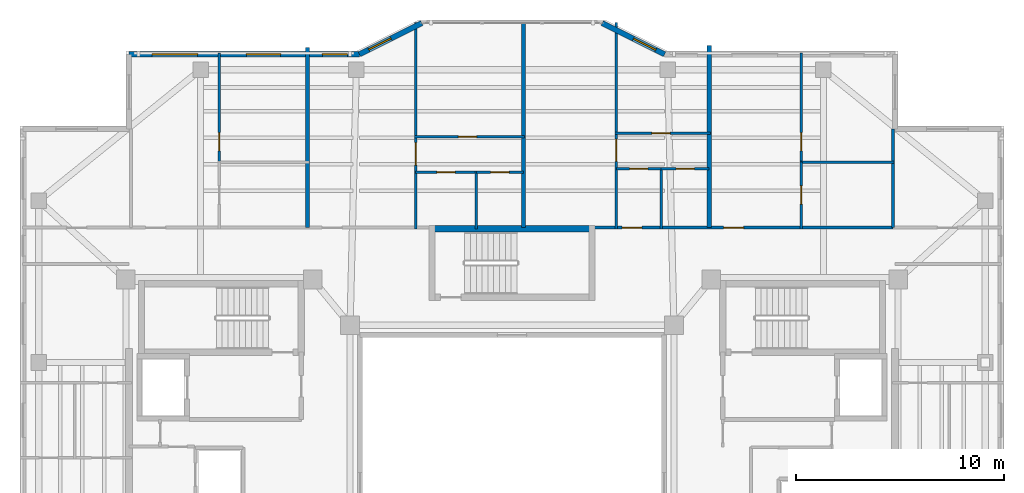
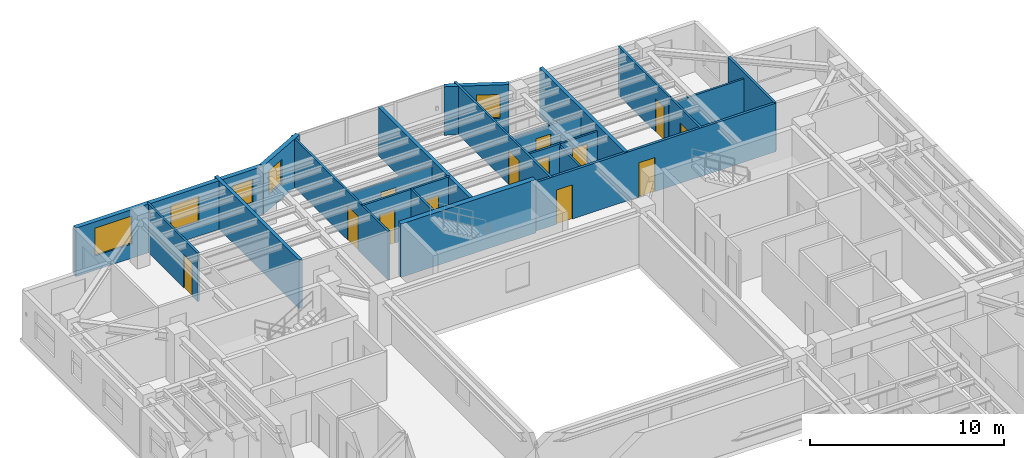
# One storey, part 9 of 13: 23 walls, 13 doors, 5 windows, 18 openings.
"""IFC4 building model written with IfcOpenShell, lengths in metres."""

from ifc_helpers import new_model, si_unit, direction, frame, frame_2d, origin, place, context, subcontext, project, spatial, rectangle, extrude, material, layer, layer_set, type_object, element, fill, save


model = new_model("IFC4")

# Units and contexts
model_context = context("Model", 3, precision=1e-05, world=origin(), true_north=direction((0.0, 1.0)))
body_context = subcontext(model_context, "Body", "Model", "MODEL_VIEW")
ifc_project = project(units=[si_unit("LENGTHUNIT", "METRE"), si_unit("AREAUNIT", "SQUARE_METRE"), si_unit("VOLUMEUNIT", "CUBIC_METRE"), si_unit("PLANEANGLEUNIT", "RADIAN"), si_unit("MASSUNIT", "GRAM", prefix="KILO")], contexts=[model_context])

# Site, building, storey
site_placement = place(None, origin())
site = spatial("IfcSite", under=ifc_project, at=site_placement, CompositionType="ELEMENT")
building_placement = place(site_placement, origin())
building = spatial("IfcBuilding", under=site, at=building_placement, Name="Tarnavaz Court Tower", CompositionType="ELEMENT")
storey_placement = place(building_placement, frame((0.0, 0.0, 223.75)))
storey = spatial("IfcBuildingStorey", under=building, at=storey_placement, Name="L61", CompositionType="ELEMENT", Elevation=223.75)

# Wall
ifc_material_1 = material(Name="Concrete C50/60", Category="concrete")
ifc_layer_1 = layer(ifc_material_1, 0.300048828125)
ifc_layer_set_1 = layer_set([ifc_layer_1], Name="Concrete C50/60")
wall_type_1 = type_object("IfcWallType", Name="WL-CORE-300-C50", PredefinedType="SHEAR", material=ifc_layer_set_1)
wall_1_placement = place(storey_placement, frame((-4.0, 12.43994140625, 0.0), z_axis=(0.0, 0.0, 1.0), x_axis=(1.0, 0.0, 0.0)))
element("IfcWall", 1, at=wall_1_placement, inside=storey, type_object=wall_type_1, Name="L61 North Stair Core Wall 009", PredefinedType="SHEAR", context=body_context, shape_type="SweptSolid", body=[
    extrude(rectangle(XDim=8.0, YDim=0.300048828125, at=frame_2d((4.0, 0.0))), origin(), (0.0, 0.0, 1.0), 3.35009765625),
])

# Wall, openings, windows
ifc_material_2 = material(Name="Precast Concrete C40/50", Category="concrete")
ifc_layer_2 = layer(ifc_material_2, 0.260009765625)
ifc_layer_set_2 = layer_set([ifc_layer_2], Name="Precast Concrete C40/50")
wall_type_2 = type_object("IfcWallType", Name="WL-EXT-260", PredefinedType="SOLIDWALL", material=ifc_layer_set_2)
wall_2_placement = place(storey_placement, frame((-18.449951171875, 20.85009765625, 0.0), z_axis=(0.0, 0.0, 1.0), x_axis=(1.0, 0.0, 0.0)))
wall_2 = element("IfcWall", 2, at=wall_2_placement, inside=storey, type_object=wall_type_2, Name="L61 Exterior Terracotta Facade Wall 05", PredefinedType="SOLIDWALL", context=body_context, shape_type="SweptSolid", body=[
    extrude(rectangle(XDim=11.099853515625, YDim=0.260009765625, at=frame_2d((5.5498046875, 0.0))), origin(), (0.0, 0.0, 1.0), 3.050048828125),
])
opening_1_placement = place(wall_2_placement, frame((1.110107421875, 0.0, 0.89990234375)))
opening_1 = element("IfcOpeningElement", 3, at=opening_1_placement, cuts=wall_2, Name="Opening W07", PredefinedType="OPENING", context=body_context, shape_type="SweptSolid", body=[
    extrude(rectangle(XDim=2.199951171875, YDim=1.75, at=frame_2d((1.10009765625, 0.875))), frame((0.0, 0.139892578125, 0.0), z_axis=(0.0, -1.0, 0.0), x_axis=(1.0, 0.0, 0.0)), (0.0, 0.0, 1.0), 0.280029296875),
])
opening_2_placement = place(wall_2_placement, frame((5.654296875, 0.0, 0.89990234375)))
opening_2 = element("IfcOpeningElement", 4, at=opening_2_placement, cuts=wall_2, Name="Opening W02", PredefinedType="OPENING", context=body_context, shape_type="SweptSolid", body=[
    extrude(rectangle(XDim=1.64990234375, YDim=1.60009765625, at=frame_2d((0.824951171875, 0.800048828125))), frame((0.0, 0.139892578125, 0.0), z_axis=(0.0, -1.0, 0.0), x_axis=(1.0, 0.0, 0.0)), (0.0, 0.0, 1.0), 0.280029296875),
])
opening_3_placement = place(wall_2_placement, frame((9.319580078125, 0.0, 0.949951171875)))
opening_3 = element("IfcOpeningElement", 5, at=opening_3_placement, cuts=wall_2, Name="Opening W05", PredefinedType="OPENING", context=body_context, shape_type="SweptSolid", body=[
    extrude(rectangle(XDim=1.199951171875, YDim=1.5, at=frame_2d((0.60009765625, 0.75))), frame((0.0, 0.139892578125, 0.0), z_axis=(0.0, -1.0, 0.0), x_axis=(1.0, 0.0, 0.0)), (0.0, 0.0, 1.0), 0.280029296875),
])
ifc_material_3 = material(Name="Double-Glazed Solar Low-E Glass", Category="glass")
window_type_1 = type_object("IfcWindowType", Name="WN-APT-1200", PartitioningType="SINGLE_PANEL", PredefinedType="WINDOW", material=ifc_material_3)
window_1_placement = place(opening_3_placement, origin())
window_1 = element("IfcWindow", 6, at=window_1_placement, inside=storey, type_object=window_type_1, Name="L61 Flat 02 Living and Dining Room Window", OverallHeight=1.5, OverallWidth=1.199951171875, PartitioningType="SINGLE_PANEL", PredefinedType="WINDOW", context=body_context, shape_type="SweptSolid", body=[
    extrude(rectangle(XDim=1.199951171875, YDim=1.5, at=frame_2d((0.60009765625, 0.75))), frame((0.0, 0.030029296875, 0.0), z_axis=(0.0, -1.0, 0.0), x_axis=(1.0, 0.0, 0.0)), (0.0, 0.0, 1.0), 0.06005859375),
])
fill(opening_3, window_1)
window_type_2 = type_object("IfcWindowType", Name="WN-APT-1650", PartitioningType="DOUBLE_PANEL_VERTICAL", PredefinedType="WINDOW", material=ifc_material_3)
window_2_placement = place(opening_2_placement, origin())
window_2 = element("IfcWindow", 7, at=window_2_placement, inside=storey, type_object=window_type_2, Name="L61 Flat 01 Kitchen Window", OverallHeight=1.60009765625, OverallWidth=1.64990234375, PartitioningType="SINGLE_PANEL", PredefinedType="WINDOW", context=body_context, shape_type="SweptSolid", body=[
    extrude(rectangle(XDim=1.64990234375, YDim=1.60009765625, at=frame_2d((0.824951171875, 0.800048828125))), frame((0.0, 0.030029296875, 0.0), z_axis=(0.0, -1.0, 0.0), x_axis=(1.0, 0.0, 0.0)), (0.0, 0.0, 1.0), 0.06005859375),
])
fill(opening_2, window_2)
window_type_3 = type_object("IfcWindowType", Name="WN-APT-2200", PartitioningType="TRIPLE_PANEL_VERTICAL", PredefinedType="WINDOW", material=ifc_material_3)
window_3_placement = place(opening_1_placement, origin())
window_3 = element("IfcWindow", 8, at=window_3_placement, inside=storey, type_object=window_type_3, Name="L61 Flat 01 Studio Living and Sleeping Room Window", OverallHeight=1.75, OverallWidth=2.199951171875, PartitioningType="SINGLE_PANEL", PredefinedType="WINDOW", context=body_context, shape_type="SweptSolid", body=[
    extrude(rectangle(XDim=2.199951171875, YDim=1.75, at=frame_2d((1.10009765625, 0.875))), frame((0.0, 0.030029296875, 0.0), z_axis=(0.0, -1.0, 0.0), x_axis=(1.0, 0.0, 0.0)), (0.0, 0.0, 1.0), 0.06005859375),
])
fill(opening_1, window_3)

# Wall, opening, window
wall_3_placement = place(storey_placement, frame((-7.35009765625, 20.85009765625, 0.0), z_axis=(0.0, 0.0, 1.0), x_axis=(0.894427191, 0.4472135955, 0.0)))
wall_3 = element("IfcWall", 9, at=wall_3_placement, inside=storey, type_object=wall_type_2, Name="L61 Exterior Terracotta Facade Wall 06", PredefinedType="SOLIDWALL", context=body_context, shape_type="SweptSolid", body=[
    extrude(rectangle(XDim=3.35400390625, YDim=0.260009765625, at=frame_2d((1.677001953125, 0.0))), origin(), (0.0, 0.0, 1.0), 3.050048828125),
])
opening_4_placement = place(wall_3_placement, frame((0.501220703125, 0.0, 0.949951171875)))
opening_4 = element("IfcOpeningElement", 10, at=opening_4_placement, cuts=wall_3, Name="Opening W05", PredefinedType="OPENING", context=body_context, shape_type="SweptSolid", body=[
    extrude(rectangle(XDim=1.199951171875, YDim=1.5, at=frame_2d((0.60009765625, 0.75))), frame((0.0, 0.139892578125, 0.0), z_axis=(0.0, -1.0, 0.0), x_axis=(1.0, 0.0, 0.0)), (0.0, 0.0, 1.0), 0.280029296875),
])
window_4_placement = place(opening_4_placement, origin())
window_4 = element("IfcWindow", 11, at=window_4_placement, inside=storey, type_object=window_type_1, Name="L61 Flat 02 Living and Dining Room Window", OverallHeight=1.5, OverallWidth=1.199951171875, PartitioningType="SINGLE_PANEL", PredefinedType="WINDOW", context=body_context, shape_type="SweptSolid", body=[
    extrude(rectangle(XDim=1.199951171875, YDim=1.5, at=frame_2d((0.60009765625, 0.75))), frame((0.0, 0.030029296875, 0.0), z_axis=(0.0, -1.0, 0.0), x_axis=(1.0, 0.0, 0.0)), (0.0, 0.0, 1.0), 0.06005859375),
])
fill(opening_4, window_4)

wall_4_placement = place(storey_placement, frame((4.35009765625, 22.35009765625, 0.0), z_axis=(0.0, 0.0, 1.0), x_axis=(0.894427191, -0.4472135955, 0.0)))
wall_4 = element("IfcWall", 12, at=wall_4_placement, inside=storey, type_object=wall_type_2, Name="L61 Exterior Terracotta Facade Wall 08", PredefinedType="SOLIDWALL", context=body_context, shape_type="SweptSolid", body=[
    extrude(rectangle(XDim=3.35400390625, YDim=0.260009765625, at=frame_2d((1.677001953125, 0.0))), origin(), (0.0, 0.0, 1.0), 3.050048828125),
])
opening_5_placement = place(wall_4_placement, frame((1.677978515625, 0.0, 0.949951171875)))
opening_5 = element("IfcOpeningElement", 13, at=opening_5_placement, cuts=wall_4, Name="Opening W05", PredefinedType="OPENING", context=body_context, shape_type="SweptSolid", body=[
    extrude(rectangle(XDim=1.199951171875, YDim=1.5, at=frame_2d((0.60009765625, 0.75))), frame((0.0, 0.139892578125, 0.0), z_axis=(0.0, -1.0, 0.0), x_axis=(1.0, 0.0, 0.0)), (0.0, 0.0, 1.0), 0.280029296875),
])
window_5_placement = place(opening_5_placement, origin())
window_5 = element("IfcWindow", 14, at=window_5_placement, inside=storey, type_object=window_type_1, Name="L61 Flat 03 Bedroom 1 Window", OverallHeight=1.5, OverallWidth=1.199951171875, PartitioningType="SINGLE_PANEL", PredefinedType="WINDOW", context=body_context, shape_type="SweptSolid", body=[
    extrude(rectangle(XDim=1.199951171875, YDim=1.5, at=frame_2d((0.60009765625, 0.75))), frame((0.0, 0.030029296875, 0.0), z_axis=(0.0, -1.0, 0.0), x_axis=(1.0, 0.0, 0.0)), (0.0, 0.0, 1.0), 0.06005859375),
])
fill(opening_5, window_5)

# Wall, openings, doors
ifc_material_4 = material(Name="Gypsum Fire-Board on Acoustic Metal Stud", Category="masonry")
ifc_layer_3 = layer(ifc_material_4, 0.14990234375)
ifc_layer_set_3 = layer_set([ifc_layer_3], Name="Gypsum Fire-Board on Acoustic Metal Stud")
wall_type_3 = type_object("IfcWallType", Name="WL-FIRE-150", PredefinedType="PARTITIONING", material=ifc_layer_set_3)
wall_5_placement = place(storey_placement, frame((3.85009765625, 12.5, 0.0), z_axis=(0.0, 0.0, 1.0), x_axis=(1.0, 0.0, 0.0)))
wall_5 = element("IfcWall", 15, at=wall_5_placement, inside=storey, type_object=wall_type_3, Name="L61 NE Wing Corridor Wall 059", PredefinedType="PARTITIONING", context=body_context, shape_type="SweptSolid", body=[
    extrude(rectangle(XDim=14.5, YDim=0.14990234375, at=frame_2d((7.25, 0.0))), origin(), (0.0, 0.0, 1.0), 3.050048828125),
])
opening_6_placement = place(wall_5_placement, frame((1.449951171875, 0.0, 0.0)))
opening_6 = element("IfcOpeningElement", 16, at=opening_6_placement, cuts=wall_5, Name="Opening D06", PredefinedType="OPENING", context=body_context, shape_type="SweptSolid", body=[
    extrude(rectangle(XDim=0.9599609375, YDim=2.14990234375, at=frame_2d((0.47998046875, 1.074951171875))), frame((0.0, 0.0849609375, 0.0), z_axis=(0.0, -1.0, 0.0), x_axis=(1.0, 0.0, 0.0)), (0.0, 0.0, 1.0), 0.169921875),
])
opening_7_placement = place(wall_5_placement, frame((6.35009765625, 0.0, 0.0)))
opening_7 = element("IfcOpeningElement", 17, at=opening_7_placement, cuts=wall_5, Name="Opening D06", PredefinedType="OPENING", context=body_context, shape_type="SweptSolid", body=[
    extrude(rectangle(XDim=0.9599609375, YDim=2.14990234375, at=frame_2d((0.47998046875, 1.074951171875))), frame((0.0, 0.0849609375, 0.0), z_axis=(0.0, -1.0, 0.0), x_axis=(1.0, 0.0, 0.0)), (0.0, 0.0, 1.0), 0.169921875),
])
ifc_material_5 = material(Name="Fire-Rated Hardwood Timber Core", Category="wood")
door_type_1 = type_object("IfcDoorType", Name="DR-FD60-950", OperationType="NOTDEFINED", PredefinedType="DOOR", material=ifc_material_5)
door_1_placement = place(opening_6_placement, origin())
door_1 = element("IfcDoor", 18, at=door_1_placement, inside=storey, type_object=door_type_1, Name="L61 Flat 03 Entrance Door", OperationType="SINGLE_SWING_RIGHT", OverallHeight=2.14990234375, OverallWidth=0.9599609375, PredefinedType="DOOR", context=body_context, shape_type="SweptSolid", body=[
    extrude(rectangle(XDim=0.9599609375, YDim=2.14990234375, at=frame_2d((0.47998046875, 1.074951171875))), frame((0.0, 0.02490234375, 0.0), z_axis=(0.0, -1.0, 0.0), x_axis=(1.0, 0.0, 0.0)), (0.0, 0.0, 1.0), 0.050048828125),
])
fill(opening_6, door_1)
door_2_placement = place(opening_7_placement, origin())
door_2 = element("IfcDoor", 19, at=door_2_placement, inside=storey, type_object=door_type_1, Name="L61 Flat 04 Entrance Door", OperationType="SINGLE_SWING_LEFT", OverallHeight=2.14990234375, OverallWidth=0.9599609375, PredefinedType="DOOR", context=body_context, shape_type="SweptSolid", body=[
    extrude(rectangle(XDim=0.9599609375, YDim=2.14990234375, at=frame_2d((0.47998046875, 1.074951171875))), frame((0.0, 0.02490234375, 0.0), z_axis=(0.0, -1.0, 0.0), x_axis=(1.0, 0.0, 0.0)), (0.0, 0.0, 1.0), 0.050048828125),
])
fill(opening_7, door_2)

# Walls
ifc_material_6 = material(Name="Autoclaved Aerated Concrete Blockwork", Category="masonry")
ifc_layer_4 = layer(ifc_material_6, 0.199951171875)
ifc_layer_set_4 = layer_set([ifc_layer_4], Name="Autoclaved Aerated Concrete Blockwork")
wall_type_4 = type_object("IfcWallType", Name="WL-FIRE-200", PredefinedType="SOLIDWALL", material=ifc_layer_set_4)
wall_6_placement = place(storey_placement, frame((0.550048828125, 12.5, 0.0), z_axis=(0.0, 0.0, 1.0), x_axis=(0.0, 1.0, 0.0)))
element("IfcWall", 20, at=wall_6_placement, inside=storey, type_object=wall_type_4, Name="L61 North Center Party Wall 064", PredefinedType="SOLIDWALL", context=body_context, shape_type="SweptSolid", body=[
    extrude(rectangle(XDim=9.8798828125, YDim=0.199951171875, at=frame_2d((4.93994140625, 0.0))), origin(), (0.0, 0.0, 1.0), 3.050048828125),
])
wall_7_placement = place(storey_placement, frame((-9.844970703125, 12.5, 0.0), z_axis=(0.0, 0.0, 1.0), x_axis=(0.0, 1.0, 0.0)))
element("IfcWall", 21, at=wall_7_placement, inside=storey, type_object=wall_type_4, Name="L61 Party Wall 065", PredefinedType="SOLIDWALL", context=body_context, shape_type="SweptSolid", body=[
    extrude(rectangle(XDim=8.68505859375, YDim=0.199951171875, at=frame_2d((4.342529296875, 0.0))), origin(), (0.0, 0.0, 1.0), 3.050048828125),
])
wall_8_placement = place(storey_placement, frame((9.5, 12.5, 0.0), z_axis=(0.0, 0.0, 1.0), x_axis=(0.0, 1.0, 0.0)))
element("IfcWall", 22, at=wall_8_placement, inside=storey, type_object=wall_type_4, Name="L61 Party Wall 074", PredefinedType="SOLIDWALL", context=body_context, shape_type="SweptSolid", body=[
    extrude(rectangle(XDim=8.77001953125, YDim=0.199951171875, at=frame_2d((4.385009765625, 0.0))), origin(), (0.0, 0.0, 1.0), 3.050048828125),
])

# Wall, opening, door
ifc_material_7 = material(Name="Moisture-Resistant Gypsum Board Partition", Category="masonry")
ifc_layer_5 = layer(ifc_material_7, 0.1201171875)
ifc_layer_set_5 = layer_set([ifc_layer_5], Name="Moisture-Resistant Gypsum Board Partition")
wall_type_5 = type_object("IfcWallType", Name="WL-PART-120", PredefinedType="PARTITIONING", material=ifc_layer_set_5)
wall_9_placement = place(storey_placement, frame((-14.097900390625, 15.64990234375, 0.0), z_axis=(0.0, 0.0, 1.0), x_axis=(0.0, 1.0, 0.0)))
wall_9 = element("IfcWall", 23, at=wall_9_placement, inside=storey, type_object=wall_type_5, Name="L61 Interior Partition 067", PredefinedType="PARTITIONING", context=body_context, shape_type="SweptSolid", body=[
    extrude(rectangle(XDim=5.25, YDim=0.1201171875, at=frame_2d((2.625, 0.0))), origin(), (0.0, 0.0, 1.0), 3.050048828125),
])
opening_8_placement = place(wall_9_placement, frame((0.550048828125, 0.0, 0.0)))
opening_8 = element("IfcOpeningElement", 24, at=opening_8_placement, cuts=wall_9, Name="Opening D14", PredefinedType="OPENING", context=body_context, shape_type="SweptSolid", body=[
    extrude(rectangle(XDim=0.8798828125, YDim=2.10009765625, at=frame_2d((0.43994140625, 1.050048828125))), frame((0.0, 0.070068359375, 0.0), z_axis=(0.0, -1.0, 0.0), x_axis=(1.0, 0.0, 0.0)), (0.0, 0.0, 1.0), 0.14013671875),
])
ifc_material_8 = material(Name="Engineered Oak Timber", Category="wood")
door_type_2 = type_object("IfcDoorType", Name="DR-INT-900", OperationType="NOTDEFINED", PredefinedType="DOOR", material=ifc_material_8)
door_3_placement = place(opening_8_placement, origin())
door_3 = element("IfcDoor", 25, at=door_3_placement, inside=storey, type_object=door_type_2, Name="L61 Flat 01 Kitchen Door", OperationType="SINGLE_SWING_RIGHT", OverallHeight=2.10009765625, OverallWidth=0.8798828125, PredefinedType="DOOR", context=body_context, shape_type="SweptSolid", body=[
    extrude(rectangle(XDim=0.8798828125, YDim=2.10009765625, at=frame_2d((0.43994140625, 1.050048828125))), frame((0.0, 0.02490234375, 0.0), z_axis=(0.0, -1.0, 0.0), x_axis=(1.0, 0.0, 0.0)), (0.0, 0.0, 1.0), 0.050048828125),
])
fill(opening_8, door_3)

wall_10_placement = place(storey_placement, frame((-4.64697265625, 12.43994140625, 0.0), z_axis=(0.0, 0.0, 1.0), x_axis=(0.0, 1.0, 0.0)))
wall_10 = element("IfcWall", 26, at=wall_10_placement, inside=storey, type_object=wall_type_5, Name="L61 Interior Partition 069", PredefinedType="PARTITIONING", context=body_context, shape_type="SweptSolid", body=[
    extrude(rectangle(XDim=9.93994140625, YDim=0.1201171875, at=frame_2d((4.969970703125, 0.0))), origin(), (0.0, 0.0, 1.0), 3.050048828125),
])
opening_9_placement = place(wall_10_placement, frame((3.074951171875, 0.0, 0.0)))
opening_9 = element("IfcOpeningElement", 27, at=opening_9_placement, cuts=wall_10, Name="Opening D12", PredefinedType="OPENING", context=body_context, shape_type="SweptSolid", body=[
    extrude(rectangle(XDim=1.080078125, YDim=2.14990234375, at=frame_2d((0.5400390625, 1.074951171875))), frame((0.0, 0.070068359375, 0.0), z_axis=(0.0, -1.0, 0.0), x_axis=(1.0, 0.0, 0.0)), (0.0, 0.0, 1.0), 0.14013671875),
])
door_type_3 = type_object("IfcDoorType", Name="DR-INT-1100", OperationType="NOTDEFINED", PredefinedType="DOOR", material=ifc_material_8)
door_4_placement = place(opening_9_placement, origin())
door_4 = element("IfcDoor", 28, at=door_4_placement, inside=storey, type_object=door_type_3, Name="L61 Flat 02 Foyer Door", OperationType="SINGLE_SWING_RIGHT", OverallHeight=2.14990234375, OverallWidth=1.080078125, PredefinedType="DOOR", context=body_context, shape_type="SweptSolid", body=[
    extrude(rectangle(XDim=1.080078125, YDim=2.14990234375, at=frame_2d((0.5400390625, 1.074951171875))), frame((0.0, 0.02490234375, 0.0), z_axis=(0.0, -1.0, 0.0), x_axis=(1.0, 0.0, 0.0)), (0.0, 0.0, 1.0), 0.050048828125),
])
fill(opening_9, door_4)

wall_11_placement = place(storey_placement, frame((-4.64697265625, 15.169921875, 0.0), z_axis=(0.0, 0.0, 1.0), x_axis=(1.0, 0.0, 0.0)))
wall_11 = element("IfcWall", 29, at=wall_11_placement, inside=storey, type_object=wall_type_5, Name="L61 Interior Partition 070", PredefinedType="PARTITIONING", context=body_context, shape_type="SweptSolid", body=[
    extrude(rectangle(XDim=2.927978515625, YDim=0.1201171875, at=frame_2d((1.4638671875, 0.0))), origin(), (0.0, 0.0, 1.0), 3.050048828125),
])
opening_10_placement = place(wall_11_placement, frame((1.02392578125, 0.0, 0.0)))
opening_10 = element("IfcOpeningElement", 30, at=opening_10_placement, cuts=wall_11, Name="Opening D14", PredefinedType="OPENING", context=body_context, shape_type="SweptSolid", body=[
    extrude(rectangle(XDim=0.8798828125, YDim=2.10009765625, at=frame_2d((0.43994140625, 1.050048828125))), frame((0.0, 0.070068359375, 0.0), z_axis=(0.0, -1.0, 0.0), x_axis=(1.0, 0.0, 0.0)), (0.0, 0.0, 1.0), 0.14013671875),
])
door_5_placement = place(opening_10_placement, origin())
door_5 = element("IfcDoor", 31, at=door_5_placement, inside=storey, type_object=door_type_2, Name="L61 Flat 02 Kitchen Door", OperationType="SINGLE_SWING_LEFT", OverallHeight=2.10009765625, OverallWidth=0.8798828125, PredefinedType="DOOR", context=body_context, shape_type="SweptSolid", body=[
    extrude(rectangle(XDim=0.8798828125, YDim=2.10009765625, at=frame_2d((0.43994140625, 1.050048828125))), frame((0.0, 0.02490234375, 0.0), z_axis=(0.0, -1.0, 0.0), x_axis=(1.0, 0.0, 0.0)), (0.0, 0.0, 1.0), 0.050048828125),
])
fill(opening_10, door_5)

wall_12_placement = place(storey_placement, frame((-1.718994140625, 15.169921875, 0.0), z_axis=(0.0, 0.0, 1.0), x_axis=(1.0, 0.0, 0.0)))
wall_12 = element("IfcWall", 32, at=wall_12_placement, inside=storey, type_object=wall_type_5, Name="L61 Interior Partition 071", PredefinedType="PARTITIONING", context=body_context, shape_type="SweptSolid", body=[
    extrude(rectangle(XDim=2.26904296875, YDim=0.1201171875, at=frame_2d((1.134521484375, 0.0))), origin(), (0.0, 0.0, 1.0), 3.050048828125),
])
opening_11_placement = place(wall_12_placement, frame((0.695068359375, 0.0, 0.0)))
opening_11 = element("IfcOpeningElement", 33, at=opening_11_placement, cuts=wall_12, Name="Opening D14", PredefinedType="OPENING", context=body_context, shape_type="SweptSolid", body=[
    extrude(rectangle(XDim=0.8798828125, YDim=2.10009765625, at=frame_2d((0.43994140625, 1.050048828125))), frame((0.0, 0.070068359375, 0.0), z_axis=(0.0, -1.0, 0.0), x_axis=(1.0, 0.0, 0.0)), (0.0, 0.0, 1.0), 0.14013671875),
])
door_6_placement = place(opening_11_placement, origin())
door_6 = element("IfcDoor", 34, at=door_6_placement, inside=storey, type_object=door_type_2, Name="L61 Flat 02 Bathroom Door", OperationType="SINGLE_SWING_RIGHT", OverallHeight=2.10009765625, OverallWidth=0.8798828125, PredefinedType="DOOR", context=body_context, shape_type="SweptSolid", body=[
    extrude(rectangle(XDim=0.8798828125, YDim=2.10009765625, at=frame_2d((0.43994140625, 1.050048828125))), frame((0.0, 0.02490234375, 0.0), z_axis=(0.0, -1.0, 0.0), x_axis=(1.0, 0.0, 0.0)), (0.0, 0.0, 1.0), 0.050048828125),
])
fill(opening_11, door_6)

wall_13_placement = place(storey_placement, frame((-4.70703125, 16.8798828125, 0.0), z_axis=(0.0, 0.0, 1.0), x_axis=(1.0, 0.0, 0.0)))
wall_13 = element("IfcWall", 35, at=wall_13_placement, inside=storey, type_object=wall_type_5, Name="L61 Interior Partition 072", PredefinedType="PARTITIONING", context=body_context, shape_type="SweptSolid", body=[
    extrude(rectangle(XDim=5.317138671875, YDim=0.1201171875, at=frame_2d((2.65869140625, 0.0))), origin(), (0.0, 0.0, 1.0), 2.675048828125),
])
opening_12_placement = place(wall_13_placement, frame((2.12890625, 0.0, 0.0)))
opening_12 = element("IfcOpeningElement", 36, at=opening_12_placement, cuts=wall_13, Name="Opening D14", PredefinedType="OPENING", context=body_context, shape_type="SweptSolid", body=[
    extrude(rectangle(XDim=0.8798828125, YDim=2.10009765625, at=frame_2d((0.43994140625, 1.050048828125))), frame((0.0, 0.070068359375, 0.0), z_axis=(0.0, -1.0, 0.0), x_axis=(1.0, 0.0, 0.0)), (0.0, 0.0, 1.0), 0.14013671875),
])
door_7_placement = place(opening_12_placement, origin())
door_7 = element("IfcDoor", 37, at=door_7_placement, inside=storey, type_object=door_type_2, Name="L61 Flat 02 Bedroom 1 Door", OperationType="SINGLE_SWING_LEFT", OverallHeight=2.10009765625, OverallWidth=0.8798828125, PredefinedType="DOOR", context=body_context, shape_type="SweptSolid", body=[
    extrude(rectangle(XDim=0.8798828125, YDim=2.10009765625, at=frame_2d((0.43994140625, 1.050048828125))), frame((0.0, 0.02490234375, 0.0), z_axis=(0.0, -1.0, 0.0), x_axis=(1.0, 0.0, 0.0)), (0.0, 0.0, 1.0), 0.050048828125),
])
fill(opening_12, door_7)

# Wall
wall_14_placement = place(storey_placement, frame((-1.718994140625, 12.43994140625, 0.0), z_axis=(0.0, 0.0, 1.0), x_axis=(0.0, 1.0, 0.0)))
element("IfcWall", 38, at=wall_14_placement, inside=storey, type_object=wall_type_5, Name="L61 Interior Partition 073", PredefinedType="PARTITIONING", context=body_context, shape_type="SweptSolid", body=[
    extrude(rectangle(XDim=2.7900390625, YDim=0.1201171875, at=frame_2d((1.39501953125, 0.0))), origin(), (0.0, 0.0, 1.0), 3.050048828125),
])

# Wall, opening, door
wall_15_placement = place(storey_placement, frame((5.02490234375, 12.43994140625, 0.0), z_axis=(0.0, 0.0, 1.0), x_axis=(0.0, 1.0, 0.0)))
wall_15 = element("IfcWall", 39, at=wall_15_placement, inside=storey, type_object=wall_type_5, Name="L61 Interior Partition 075", PredefinedType="PARTITIONING", context=body_context, shape_type="SweptSolid", body=[
    extrude(rectangle(XDim=9.93408203125, YDim=0.1201171875, at=frame_2d((4.967041015625, 0.0))), origin(), (0.0, 0.0, 1.0), 3.050048828125),
])
opening_13_placement = place(wall_15_placement, frame((3.2451171875, 0.0, 0.0)))
opening_13 = element("IfcOpeningElement", 40, at=opening_13_placement, cuts=wall_15, Name="Opening D12", PredefinedType="OPENING", context=body_context, shape_type="SweptSolid", body=[
    extrude(rectangle(XDim=1.080078125, YDim=2.14990234375, at=frame_2d((0.5400390625, 1.074951171875))), frame((0.0, 0.070068359375, 0.0), z_axis=(0.0, -1.0, 0.0), x_axis=(1.0, 0.0, 0.0)), (0.0, 0.0, 1.0), 0.14013671875),
])
door_8_placement = place(opening_13_placement, origin())
door_8 = element("IfcDoor", 41, at=door_8_placement, inside=storey, type_object=door_type_3, Name="L61 Flat 03 Foyer Door", OperationType="SINGLE_SWING_LEFT", OverallHeight=2.14990234375, OverallWidth=1.080078125, PredefinedType="DOOR", context=body_context, shape_type="SweptSolid", body=[
    extrude(rectangle(XDim=1.080078125, YDim=2.14990234375, at=frame_2d((0.5400390625, 1.074951171875))), frame((0.0, 0.02490234375, 0.0), z_axis=(0.0, -1.0, 0.0), x_axis=(1.0, 0.0, 0.0)), (0.0, 0.0, 1.0), 0.050048828125),
])
fill(opening_13, door_8)

wall_16_placement = place(storey_placement, frame((5.02490234375, 15.340087890625, 0.0), z_axis=(0.0, 0.0, 1.0), x_axis=(1.0, 0.0, 0.0)))
wall_16 = element("IfcWall", 42, at=wall_16_placement, inside=storey, type_object=wall_type_5, Name="L61 Interior Partition 076", PredefinedType="PARTITIONING", context=body_context, shape_type="SweptSolid", body=[
    extrude(rectangle(XDim=2.1630859375, YDim=0.1201171875, at=frame_2d((1.08154296875, 0.0))), origin(), (0.0, 0.0, 1.0), 2.675048828125),
])
opening_14_placement = place(wall_16_placement, frame((0.64111328125, 0.0, 0.0)))
opening_14 = element("IfcOpeningElement", 43, at=opening_14_placement, cuts=wall_16, Name="Opening D14", PredefinedType="OPENING", context=body_context, shape_type="SweptSolid", body=[
    extrude(rectangle(XDim=0.8798828125, YDim=2.10009765625, at=frame_2d((0.43994140625, 1.050048828125))), frame((0.0, 0.070068359375, 0.0), z_axis=(0.0, -1.0, 0.0), x_axis=(1.0, 0.0, 0.0)), (0.0, 0.0, 1.0), 0.14013671875),
])
door_9_placement = place(opening_14_placement, origin())
door_9 = element("IfcDoor", 44, at=door_9_placement, inside=storey, type_object=door_type_2, Name="L61 Flat 03 Kitchen Door", OperationType="SINGLE_SWING_RIGHT", OverallHeight=2.10009765625, OverallWidth=0.8798828125, PredefinedType="DOOR", context=body_context, shape_type="SweptSolid", body=[
    extrude(rectangle(XDim=0.8798828125, YDim=2.10009765625, at=frame_2d((0.43994140625, 1.050048828125))), frame((0.0, 0.02490234375, 0.0), z_axis=(0.0, -1.0, 0.0), x_axis=(1.0, 0.0, 0.0)), (0.0, 0.0, 1.0), 0.050048828125),
])
fill(opening_14, door_9)

wall_17_placement = place(storey_placement, frame((7.18798828125, 15.340087890625, 0.0), z_axis=(0.0, 0.0, 1.0), x_axis=(1.0, 0.0, 0.0)))
wall_17 = element("IfcWall", 45, at=wall_17_placement, inside=storey, type_object=wall_type_5, Name="L61 Interior Partition 077", PredefinedType="PARTITIONING", context=body_context, shape_type="SweptSolid", body=[
    extrude(rectangle(XDim=2.31201171875, YDim=0.1201171875, at=frame_2d((1.156005859375, 0.0))), origin(), (0.0, 0.0, 1.0), 2.675048828125),
])
opening_15_placement = place(wall_17_placement, frame((0.716064453125, 0.0, 0.0)))
opening_15 = element("IfcOpeningElement", 46, at=opening_15_placement, cuts=wall_17, Name="Opening D14", PredefinedType="OPENING", context=body_context, shape_type="SweptSolid", body=[
    extrude(rectangle(XDim=0.8798828125, YDim=2.10009765625, at=frame_2d((0.43994140625, 1.050048828125))), frame((0.0, 0.070068359375, 0.0), z_axis=(0.0, -1.0, 0.0), x_axis=(1.0, 0.0, 0.0)), (0.0, 0.0, 1.0), 0.14013671875),
])
door_10_placement = place(opening_15_placement, origin())
door_10 = element("IfcDoor", 47, at=door_10_placement, inside=storey, type_object=door_type_2, Name="L61 Flat 03 Bathroom Door", OperationType="SINGLE_SWING_LEFT", OverallHeight=2.10009765625, OverallWidth=0.8798828125, PredefinedType="DOOR", context=body_context, shape_type="SweptSolid", body=[
    extrude(rectangle(XDim=0.8798828125, YDim=2.10009765625, at=frame_2d((0.43994140625, 1.050048828125))), frame((0.0, 0.02490234375, 0.0), z_axis=(0.0, -1.0, 0.0), x_axis=(1.0, 0.0, 0.0)), (0.0, 0.0, 1.0), 0.050048828125),
])
fill(opening_15, door_10)

wall_18_placement = place(storey_placement, frame((4.965087890625, 17.050048828125, 0.0), z_axis=(0.0, 0.0, 1.0), x_axis=(1.0, 0.0, 0.0)))
wall_18 = element("IfcWall", 48, at=wall_18_placement, inside=storey, type_object=wall_type_5, Name="L61 Interior Partition 078", PredefinedType="PARTITIONING", context=body_context, shape_type="SweptSolid", body=[
    extrude(rectangle(XDim=4.594970703125, YDim=0.1201171875, at=frame_2d((2.29736328125, 0.0))), origin(), (0.0, 0.0, 1.0), 2.675048828125),
])
opening_16_placement = place(wall_18_placement, frame((1.76708984375, 0.0, 0.0)))
opening_16 = element("IfcOpeningElement", 49, at=opening_16_placement, cuts=wall_18, Name="Opening D14", PredefinedType="OPENING", context=body_context, shape_type="SweptSolid", body=[
    extrude(rectangle(XDim=0.8798828125, YDim=2.10009765625, at=frame_2d((0.43994140625, 1.050048828125))), frame((0.0, 0.070068359375, 0.0), z_axis=(0.0, -1.0, 0.0), x_axis=(1.0, 0.0, 0.0)), (0.0, 0.0, 1.0), 0.14013671875),
])
door_11_placement = place(opening_16_placement, origin())
door_11 = element("IfcDoor", 50, at=door_11_placement, inside=storey, type_object=door_type_2, Name="L61 Flat 03 Bedroom 1 Door", OperationType="SINGLE_SWING_RIGHT", OverallHeight=2.10009765625, OverallWidth=0.8798828125, PredefinedType="DOOR", context=body_context, shape_type="SweptSolid", body=[
    extrude(rectangle(XDim=0.8798828125, YDim=2.10009765625, at=frame_2d((0.43994140625, 1.050048828125))), frame((0.0, 0.02490234375, 0.0), z_axis=(0.0, -1.0, 0.0), x_axis=(1.0, 0.0, 0.0)), (0.0, 0.0, 1.0), 0.050048828125),
])
fill(opening_16, door_11)

# Wall
wall_19_placement = place(storey_placement, frame((7.18798828125, 12.43994140625, 0.0), z_axis=(0.0, 0.0, 1.0), x_axis=(0.0, 1.0, 0.0)))
element("IfcWall", 51, at=wall_19_placement, inside=storey, type_object=wall_type_5, Name="L61 Interior Partition 079", PredefinedType="PARTITIONING", context=body_context, shape_type="SweptSolid", body=[
    extrude(rectangle(XDim=2.9599609375, YDim=0.1201171875, at=frame_2d((1.47998046875, 0.0))), origin(), (0.0, 0.0, 1.0), 2.534912109375),
])

# Wall, opening, door
wall_20_placement = place(storey_placement, frame((13.925048828125, 12.43994140625, 0.0), z_axis=(0.0, 0.0, 1.0), x_axis=(0.0, 1.0, 0.0)))
wall_20 = element("IfcWall", 52, at=wall_20_placement, inside=storey, type_object=wall_type_5, Name="L61 Interior Partition 080", PredefinedType="PARTITIONING", context=body_context, shape_type="SweptSolid", body=[
    extrude(rectangle(XDim=3.2099609375, YDim=0.1201171875, at=frame_2d((1.60498046875, 0.0))), origin(), (0.0, 0.0, 1.0), 3.050048828125),
])
opening_17_placement = place(wall_20_placement, frame((1.195068359375, 0.0, 0.0)))
opening_17 = element("IfcOpeningElement", 53, at=opening_17_placement, cuts=wall_20, Name="Opening D14", PredefinedType="OPENING", context=body_context, shape_type="SweptSolid", body=[
    extrude(rectangle(XDim=0.8798828125, YDim=2.10009765625, at=frame_2d((0.43994140625, 1.050048828125))), frame((0.0, 0.070068359375, 0.0), z_axis=(0.0, -1.0, 0.0), x_axis=(1.0, 0.0, 0.0)), (0.0, 0.0, 1.0), 0.14013671875),
])
door_12_placement = place(opening_17_placement, origin())
door_12 = element("IfcDoor", 54, at=door_12_placement, inside=storey, type_object=door_type_2, Name="L61 Flat 04 Bathroom Door", OperationType="SINGLE_SWING_RIGHT", OverallHeight=2.10009765625, OverallWidth=0.8798828125, PredefinedType="DOOR", context=body_context, shape_type="SweptSolid", body=[
    extrude(rectangle(XDim=0.8798828125, YDim=2.10009765625, at=frame_2d((0.43994140625, 1.050048828125))), frame((0.0, 0.02490234375, 0.0), z_axis=(0.0, -1.0, 0.0), x_axis=(1.0, 0.0, 0.0)), (0.0, 0.0, 1.0), 0.050048828125),
])
fill(opening_17, door_12)

wall_21_placement = place(storey_placement, frame((13.925048828125, 15.64990234375, 0.0), z_axis=(0.0, 0.0, 1.0), x_axis=(0.0, 1.0, 0.0)))
wall_21 = element("IfcWall", 55, at=wall_21_placement, inside=storey, type_object=wall_type_5, Name="L61 Interior Partition 081", PredefinedType="PARTITIONING", context=body_context, shape_type="SweptSolid", body=[
    extrude(rectangle(XDim=5.25, YDim=0.1201171875, at=frame_2d((2.625, 0.0))), origin(), (0.0, 0.0, 1.0), 3.050048828125),
])
opening_18_placement = place(wall_21_placement, frame((0.550048828125, 0.0, 0.0)))
opening_18 = element("IfcOpeningElement", 56, at=opening_18_placement, cuts=wall_21, Name="Opening D14", PredefinedType="OPENING", context=body_context, shape_type="SweptSolid", body=[
    extrude(rectangle(XDim=0.8798828125, YDim=2.10009765625, at=frame_2d((0.43994140625, 1.050048828125))), frame((0.0, 0.070068359375, 0.0), z_axis=(0.0, -1.0, 0.0), x_axis=(1.0, 0.0, 0.0)), (0.0, 0.0, 1.0), 0.14013671875),
])
door_13_placement = place(opening_18_placement, origin())
door_13 = element("IfcDoor", 57, at=door_13_placement, inside=storey, type_object=door_type_2, Name="L61 Flat 04 Kitchen Door", OperationType="SINGLE_SWING_LEFT", OverallHeight=2.10009765625, OverallWidth=0.8798828125, PredefinedType="DOOR", context=body_context, shape_type="SweptSolid", body=[
    extrude(rectangle(XDim=0.8798828125, YDim=2.10009765625, at=frame_2d((0.43994140625, 1.050048828125))), frame((0.0, 0.02490234375, 0.0), z_axis=(0.0, -1.0, 0.0), x_axis=(1.0, 0.0, 0.0)), (0.0, 0.0, 1.0), 0.050048828125),
])
fill(opening_18, door_13)

# Walls
wall_22_placement = place(storey_placement, frame((13.864990234375, 15.64990234375, 0.0), z_axis=(0.0, 0.0, 1.0), x_axis=(1.0, 0.0, 0.0)))
element("IfcWall", 58, at=wall_22_placement, inside=storey, type_object=wall_type_5, Name="L61 Interior Partition 082", PredefinedType="PARTITIONING", context=body_context, shape_type="SweptSolid", body=[
    extrude(rectangle(XDim=4.544921875, YDim=0.1201171875, at=frame_2d((2.2724609375, 0.0))), origin(), (0.0, 0.0, 1.0), 2.675048828125),
])
ifc_material_9 = material(Name="Gypsum Plasterboard Acoustic Partition", Category="masonry")
ifc_layer_6 = layer(ifc_material_9, 0.139892578125)
ifc_layer_set_6 = layer_set([ifc_layer_6], Name="Gypsum Plasterboard Acoustic Partition")
wall_type_6 = type_object("IfcWallType", Name="WL-PART-150", PredefinedType="PARTITIONING", material=ifc_layer_set_6)
wall_23_placement = place(storey_placement, frame((18.35009765625, 12.5, 0.0), z_axis=(0.0, 0.0, 1.0), x_axis=(0.0, 1.0, 0.0)))
element("IfcWall", 59, at=wall_23_placement, inside=storey, type_object=wall_type_6, Name="L61 Interior Partition 106", PredefinedType="PARTITIONING", context=body_context, shape_type="SweptSolid", body=[
    extrude(rectangle(XDim=4.75, YDim=0.139892578125, at=frame_2d((2.375, 0.0))), origin(), (0.0, 0.0, 1.0), 3.050048828125),
])

save(model, "model.ifc")
